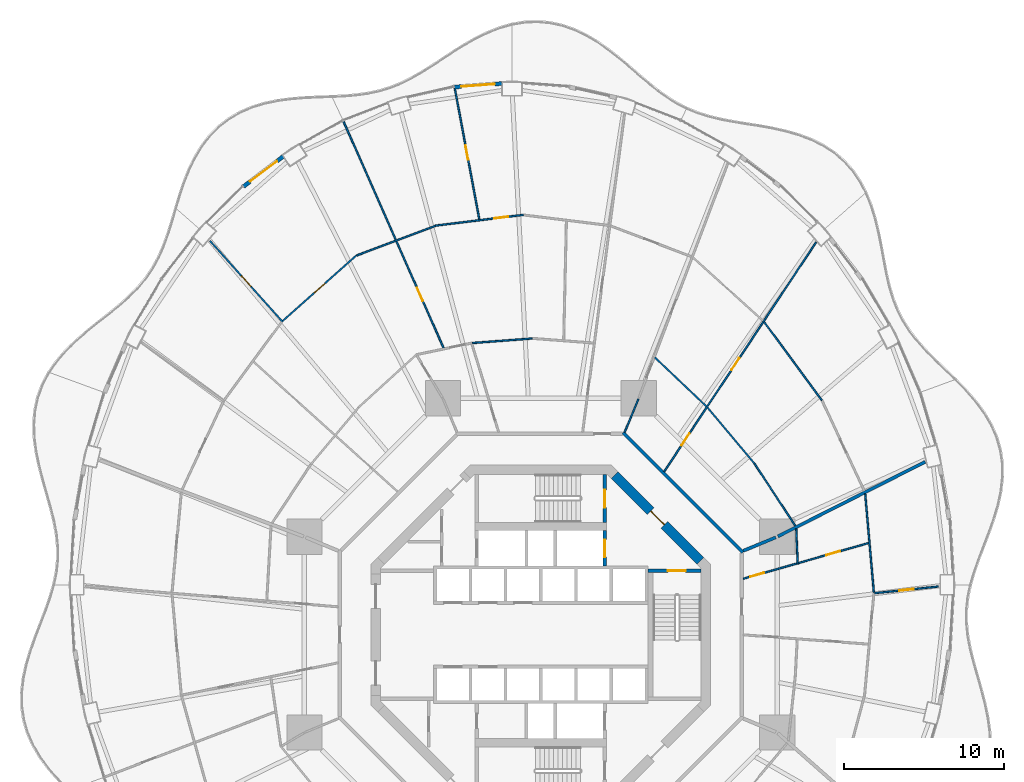
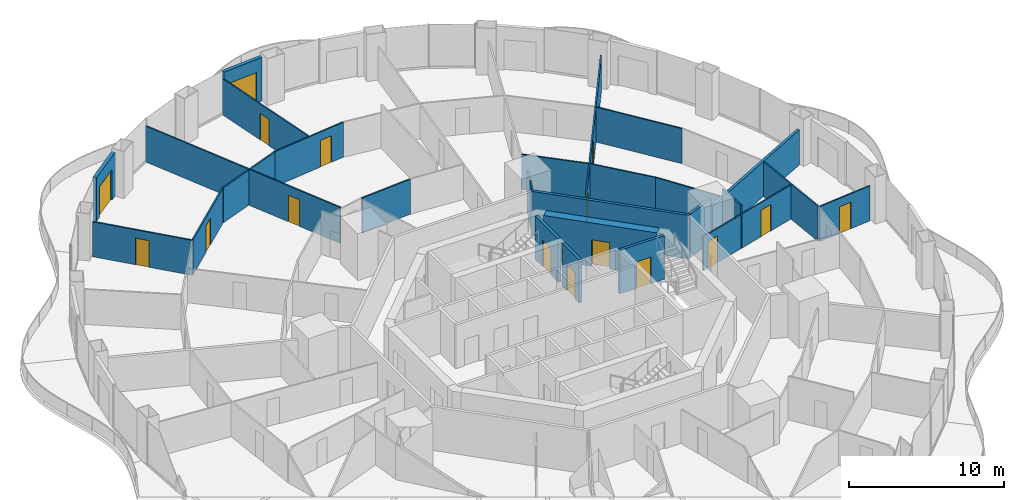
# One storey, part 18 of 22: 26 walls, 16 doors, 16 openings.
"""IFC4 building model written with IfcOpenShell, lengths in metres."""

from ifc_helpers import new_model, si_unit, direction, frame, frame_2d, origin, place, context, subcontext, project, spatial, rectangle, extrude, material, layer, layer_set, type_object, element, fill, save


model = new_model("IFC4")

# Units and contexts
model_context = context("Model", 3, precision=1e-05, world=origin(), true_north=direction((0.0, 1.0)))
body_context = subcontext(model_context, "Body", "Model", "MODEL_VIEW")
ifc_project = project(units=[si_unit("LENGTHUNIT", "METRE"), si_unit("AREAUNIT", "SQUARE_METRE"), si_unit("VOLUMEUNIT", "CUBIC_METRE"), si_unit("PLANEANGLEUNIT", "RADIAN"), si_unit("MASSUNIT", "GRAM", prefix="KILO")], contexts=[model_context])

# Site, building, storey
site_placement = place(None, origin())
site = spatial("IfcSite", under=ifc_project, at=site_placement, CompositionType="ELEMENT")
building_placement = place(site_placement, origin())
building = spatial("IfcBuilding", under=site, at=building_placement, Name="Nagisa Residences", CompositionType="ELEMENT")
storey_placement = place(building_placement, frame((0.0, 0.0, 77.0)))
storey = spatial("IfcBuildingStorey", under=building, at=storey_placement, Name="L18", CompositionType="ELEMENT", Elevation=77.0)

# Walls
ifc_material_1 = material(Name="Gypsum board on steel studs", Category="steel")
ifc_layer_1 = layer(ifc_material_1, 0.199951171875)
ifc_layer_set_1 = layer_set([ifc_layer_1], Name="Apartment compartment wall EI60 200")
wall_type_1 = type_object("IfcWallType", Name="Apartment compartment wall EI60 200", PredefinedType="PARTITIONING", material=ifc_layer_set_1)
wall_1_placement = place(storey_placement, frame((12.6572265625, 5.24267578125, 0.0), z_axis=(0.0, 0.0, 1.0), x_axis=(0.923876145736, 0.382691608661, 0.0)))
element("IfcWall", 1, at=wall_1_placement, inside=storey, type_object=wall_type_1, Name="wall:L18:u00", PredefinedType="PARTITIONING", context=body_context, shape_type="SweptSolid", body=[
    extrude(rectangle(XDim=2.19970703125, YDim=0.199951171875, at=frame_2d((1.099853515625, 0.0))), origin(), (0.0, 0.0, 1.0), 3.43994140625),
])
wall_2_placement = place(storey_placement, frame((14.82666015625, 6.1455078125, 0.0), z_axis=(0.0, 0.0, 1.0), x_axis=(0.892068075337, 0.451901038906, 0.0)))
element("IfcWall", 2, at=wall_2_placement, inside=storey, type_object=wall_type_1, Name="wall:L18:u01", PredefinedType="PARTITIONING", context=body_context, shape_type="SweptSolid", body=[
    extrude(rectangle(XDim=10.31982421875, YDim=0.199951171875, at=frame_2d((5.159912109375, 0.0))), origin(), (0.0, 0.0, 1.0), 2.761962890625),
])
ifc_material_2 = material(Name="Gypsum board on steel studs", Category="steel")
ifc_layer_2 = layer(ifc_material_2, 0.199951171875)
ifc_layer_set_2 = layer_set([ifc_layer_2], Name="Apartment entry wall EI60 200")
wall_type_2 = type_object("IfcWallType", Name="Apartment entry wall EI60 200", PredefinedType="PARTITIONING", material=ifc_layer_set_2)
wall_3_placement = place(storey_placement, frame((12.635498046875, 5.1337890625, 0.0), z_axis=(0.0, 0.0, 1.0), x_axis=(-0.707106781187, 0.707106781187, 0.0)))
element("IfcWall", 3, at=wall_3_placement, inside=storey, type_object=wall_type_2, Name="wall:L18:u09", PredefinedType="PARTITIONING", context=body_context, shape_type="SweptSolid", body=[
    extrude(rectangle(XDim=10.609130859375, YDim=0.199951171875, at=frame_2d((5.3046875, 0.0))), origin(), (0.0, 0.0, 1.0), 3.43994140625),
])

# Wall, opening, door
ifc_material_3 = material(Name="Gypsum board on steel studs", Category="steel")
ifc_layer_3 = layer(ifc_material_3, 0.10009765625)
ifc_layer_set_3 = layer_set([ifc_layer_3], Name="Apartment partition 100")
wall_type_3 = type_object("IfcWallType", Name="Apartment partition 100", PredefinedType="PARTITIONING", material=ifc_layer_set_3)
wall_4_placement = place(storey_placement, frame((20.879150390625, 2.597412109375, 0.0), z_axis=(0.0, 0.0, 1.0), x_axis=(0.994666546694, 0.103142914868, 0.0)))
wall_4 = element("IfcWall", 4, at=wall_4_placement, inside=storey, type_object=wall_type_3, Name="wall:L18:u16", PredefinedType="PARTITIONING", context=body_context, shape_type="SweptSolid", body=[
    extrude(rectangle(XDim=3.997802734375, YDim=0.10009765625, at=frame_2d((1.9990234375, 0.0))), origin(), (0.0, 0.0, 1.0), 2.761962890625),
])
opening_1_placement = place(wall_4_placement, frame((1.548828125, 0.0, 0.0)))
opening_1 = element("IfcOpeningElement", 5, at=opening_1_placement, cuts=wall_4, Name="Opening L18-U54", PredefinedType="OPENING", context=body_context, shape_type="SweptSolid", body=[
    extrude(rectangle(XDim=0.89990234375, YDim=2.10009765625, at=frame_2d((0.449951171875, 1.050048828125))), frame((0.0, 0.06005859375, 0.0), z_axis=(0.0, -1.0, 0.0), x_axis=(1.0, 0.0, 0.0)), (0.0, 0.0, 1.0), 0.1201171875),
])
ifc_material_4 = material(Name="Timber door set", Category="wood")
door_type_1 = type_object("IfcDoorType", Name="Apartment door 900x2100", OperationType="NOTDEFINED", PredefinedType="DOOR", material=ifc_material_4)
door_1_placement = place(opening_1_placement, origin())
door_1 = element("IfcDoor", 6, at=door_1_placement, inside=storey, type_object=door_type_1, Name="Door to master bedroom, Apartment 18D", OperationType="SINGLE_SWING_RIGHT", OverallHeight=2.10009765625, OverallWidth=0.89990234375, PredefinedType="DOOR", context=body_context, shape_type="SweptSolid", body=[
    extrude(rectangle(XDim=0.89990234375, YDim=2.10009765625, at=frame_2d((0.449951171875, 1.050048828125))), frame((0.0, 0.02490234375, 0.0), z_axis=(0.0, -1.0, 0.0), x_axis=(1.0, 0.0, 0.0)), (0.0, 0.0, 1.0), 0.050048828125),
])
fill(opening_1, door_1)

# Wall
wall_5_placement = place(storey_placement, frame((20.8251953125, 2.64208984375, 0.0), z_axis=(0.0, 0.0, 1.0), x_axis=(-0.087760219522, 0.996141628419, 0.0)))
element("IfcWall", 7, at=wall_5_placement, inside=storey, type_object=wall_type_3, Name="wall:L18:u17", PredefinedType="PARTITIONING", context=body_context, shape_type="SweptSolid", body=[
    extrude(rectangle(XDim=6.18701171875, YDim=0.10009765625, at=frame_2d((3.093505859375, 0.0))), origin(), (0.0, 0.0, 1.0), 2.761962890625),
])

# Wall, openings, doors
wall_6_placement = place(storey_placement, frame((12.660888671875, 3.4970703125, 0.0), z_axis=(0.0, 0.0, 1.0), x_axis=(0.961626678623, 0.274361314621, 0.0)))
wall_6 = element("IfcWall", 8, at=wall_6_placement, inside=storey, type_object=wall_type_3, Name="wall:L18:u19", PredefinedType="PARTITIONING", context=body_context, shape_type="SweptSolid", body=[
    extrude(rectangle(XDim=8.155517578125, YDim=0.10009765625, at=frame_2d((4.07763671875, 0.0))), origin(), (0.0, 0.0, 1.0), 2.68701171875),
])
opening_2_placement = place(wall_6_placement, frame((0.4462890625, 0.0, 0.0)))
opening_2 = element("IfcOpeningElement", 9, at=opening_2_placement, cuts=wall_6, Name="Opening L18-U50", PredefinedType="OPENING", context=body_context, shape_type="SweptSolid", body=[
    extrude(rectangle(XDim=0.89990234375, YDim=2.10009765625, at=frame_2d((0.449951171875, 1.050048828125))), frame((0.0, 0.06005859375, 0.0), z_axis=(0.0, -1.0, 0.0), x_axis=(1.0, 0.0, 0.0)), (0.0, 0.0, 1.0), 0.1201171875),
])
opening_3_placement = place(wall_6_placement, frame((5.39013671875, 0.0, 0.0)))
opening_3 = element("IfcOpeningElement", 10, at=opening_3_placement, cuts=wall_6, Name="Opening L18-U52", PredefinedType="OPENING", context=body_context, shape_type="SweptSolid", body=[
    extrude(rectangle(XDim=0.89990234375, YDim=2.10009765625, at=frame_2d((0.449951171875, 1.050048828125))), frame((0.0, 0.06005859375, 0.0), z_axis=(0.0, -1.0, 0.0), x_axis=(1.0, 0.0, 0.0)), (0.0, 0.0, 1.0), 0.1201171875),
])
door_2_placement = place(opening_2_placement, origin())
door_2 = element("IfcDoor", 11, at=door_2_placement, inside=storey, type_object=door_type_1, Name="Door to family bathroom, Apartment 18D", OperationType="SINGLE_SWING_RIGHT", OverallHeight=2.10009765625, OverallWidth=0.89990234375, PredefinedType="DOOR", context=body_context, shape_type="SweptSolid", body=[
    extrude(rectangle(XDim=0.89990234375, YDim=2.10009765625, at=frame_2d((0.449951171875, 1.050048828125))), frame((0.0, 0.02490234375, 0.0), z_axis=(0.0, -1.0, 0.0), x_axis=(1.0, 0.0, 0.0)), (0.0, 0.0, 1.0), 0.050048828125),
])
fill(opening_2, door_2)
door_3_placement = place(opening_3_placement, origin())
door_3 = element("IfcDoor", 12, at=door_3_placement, inside=storey, type_object=door_type_1, Name="Door to family bathroom, Apartment 18D", OperationType="SINGLE_SWING_RIGHT", OverallHeight=2.10009765625, OverallWidth=0.89990234375, PredefinedType="DOOR", context=body_context, shape_type="SweptSolid", body=[
    extrude(rectangle(XDim=0.89990234375, YDim=2.10009765625, at=frame_2d((0.449951171875, 1.050048828125))), frame((0.0, 0.02490234375, 0.0), z_axis=(0.0, -1.0, 0.0), x_axis=(1.0, 0.0, 0.0)), (0.0, 0.0, 1.0), 0.050048828125),
])
fill(opening_3, door_3)

# Walls
wall_7_placement = place(storey_placement, frame((16.064453125, 4.4150390625, 0.0), z_axis=(0.0, 0.0, 1.0), x_axis=(-0.043101501373, 0.999070698489, 0.0)))
element("IfcWall", 13, at=wall_7_placement, inside=storey, type_object=wall_type_3, Name="wall:L18:u20", PredefinedType="PARTITIONING", context=body_context, shape_type="SweptSolid", body=[
    extrude(rectangle(XDim=2.208984375, YDim=0.10009765625, at=frame_2d((1.1044921875, 0.0))), origin(), (0.0, 0.0, 1.0), 3.43994140625),
])
wall_8_placement = place(storey_placement, frame((15.91015625, 6.8056640625, 0.0), z_axis=(0.0, 0.0, 1.0), x_axis=(-0.547468243486, 0.836826458936, 0.0)))
element("IfcWall", 14, at=wall_8_placement, inside=storey, type_object=wall_type_3, Name="wall:L18:u21", PredefinedType="PARTITIONING", context=body_context, shape_type="SweptSolid", body=[
    extrude(rectangle(XDim=4.687744140625, YDim=0.10009765625, at=frame_2d((2.34375, 0.0))), origin(), (0.0, 0.0, 1.0), 2.761962890625),
])
wall_9_placement = place(storey_placement, frame((13.339111328125, 10.724853515625, 0.0), z_axis=(0.0, 0.0, 1.0), x_axis=(-0.642515455924, 0.766272724882, 0.0)))
element("IfcWall", 15, at=wall_9_placement, inside=storey, type_object=wall_type_3, Name="wall:L18:u23", PredefinedType="PARTITIONING", context=body_context, shape_type="SweptSolid", body=[
    extrude(rectangle(XDim=4.537353515625, YDim=0.10009765625, at=frame_2d((2.2685546875, 0.0))), origin(), (0.0, 0.0, 1.0), 2.761962890625),
])
wall_10_placement = place(storey_placement, frame((17.567138671875, 14.65283203125, 0.0), z_axis=(0.0, 0.0, 1.0), x_axis=(-0.592391983588, 0.80564988536, 0.0)))
element("IfcWall", 16, at=wall_10_placement, inside=storey, type_object=wall_type_3, Name="wall:L18:u24", PredefinedType="PARTITIONING", context=body_context, shape_type="SweptSolid", body=[
    extrude(rectangle(XDim=6.080078125, YDim=0.10009765625, at=frame_2d((3.0400390625, 0.0))), origin(), (0.0, 0.0, 1.0), 2.761962890625),
])

# Wall, openings, doors
wall_11_placement = place(storey_placement, frame((7.713134765625, 10.19482421875, 0.0), z_axis=(0.0, 0.0, 1.0), x_axis=(0.552111071171, 0.833770571015, 0.0)))
wall_11 = element("IfcWall", 17, at=wall_11_placement, inside=storey, type_object=wall_type_3, Name="wall:L18:u25", PredefinedType="PARTITIONING", context=body_context, shape_type="SweptSolid", body=[
    extrude(rectangle(XDim=17.20849609375, YDim=0.10009765625, at=frame_2d((8.604248046875, 0.0))), origin(), (0.0, 0.0, 1.0), 2.68701171875),
])
opening_4_placement = place(wall_11_placement, frame((1.975830078125, 0.0, 0.0)))
opening_4 = element("IfcOpeningElement", 18, at=opening_4_placement, cuts=wall_11, Name="Opening L18-U19", PredefinedType="OPENING", context=body_context, shape_type="SweptSolid", body=[
    extrude(rectangle(XDim=0.89990234375, YDim=2.10009765625, at=frame_2d((0.449951171875, 1.050048828125))), frame((0.0, 0.06005859375, 0.0), z_axis=(0.0, -1.0, 0.0), x_axis=(1.0, 0.0, 0.0)), (0.0, 0.0, 1.0), 0.1201171875),
])
opening_5_placement = place(wall_11_placement, frame((7.611083984375, 0.0, 0.0)))
opening_5 = element("IfcOpeningElement", 19, at=opening_5_placement, cuts=wall_11, Name="Opening L18-U20", PredefinedType="OPENING", context=body_context, shape_type="SweptSolid", body=[
    extrude(rectangle(XDim=0.89990234375, YDim=2.10009765625, at=frame_2d((0.449951171875, 1.050048828125))), frame((0.0, 0.06005859375, 0.0), z_axis=(0.0, -1.0, 0.0), x_axis=(1.0, 0.0, 0.0)), (0.0, 0.0, 1.0), 0.1201171875),
])
door_4_placement = place(opening_4_placement, frame((0.89990234375, 0.0, 0.0), x_axis=(-1.0, 0.0, 0.0)))
door_4 = element("IfcDoor", 20, at=door_4_placement, inside=storey, type_object=door_type_1, Name="Door to laundry, Apartment 18A", OperationType="SINGLE_SWING_RIGHT", OverallHeight=2.10009765625, OverallWidth=0.89990234375, PredefinedType="DOOR", context=body_context, shape_type="SweptSolid", body=[
    extrude(rectangle(XDim=0.89990234375, YDim=2.10009765625, at=frame_2d((0.449951171875, 1.050048828125))), frame((0.0, 0.02490234375, 0.0), z_axis=(0.0, -1.0, 0.0), x_axis=(1.0, 0.0, 0.0)), (0.0, 0.0, 1.0), 0.050048828125),
])
fill(opening_4, door_4)
door_5_placement = place(opening_5_placement, frame((0.89990234375, 0.0, 0.0), x_axis=(-1.0, 0.0, 0.0)))
door_5 = element("IfcDoor", 21, at=door_5_placement, inside=storey, type_object=door_type_1, Name="Door to dining room, Apartment 18A", OperationType="SINGLE_SWING_LEFT", OverallHeight=2.10009765625, OverallWidth=0.89990234375, PredefinedType="DOOR", context=body_context, shape_type="SweptSolid", body=[
    extrude(rectangle(XDim=0.89990234375, YDim=2.10009765625, at=frame_2d((0.449951171875, 1.050048828125))), frame((0.0, 0.02490234375, 0.0), z_axis=(0.0, -1.0, 0.0), x_axis=(1.0, 0.0, 0.0)), (0.0, 0.0, 1.0), 0.050048828125),
])
fill(opening_5, door_5)

# Walls
wall_12_placement = place(storey_placement, frame((10.35546875, 14.274169921875, 0.0), z_axis=(0.0, 0.0, 1.0), x_axis=(-0.725219204328, 0.688518050361, 0.0)))
element("IfcWall", 22, at=wall_12_placement, inside=storey, type_object=wall_type_3, Name="wall:L18:u26", PredefinedType="PARTITIONING", context=body_context, shape_type="SweptSolid", body=[
    extrude(rectangle(XDim=4.43701171875, YDim=0.10009765625, at=frame_2d((2.218505859375, 0.0))), origin(), (0.0, 0.0, 1.0), 2.761962890625),
])
wall_13_placement = place(storey_placement, frame((5.24267578125, 12.6572265625, 0.0), z_axis=(0.0, 0.0, 1.0), x_axis=(0.382719158442, 0.923864733477, 0.0)))
element("IfcWall", 23, at=wall_13_placement, inside=storey, type_object=wall_type_3, Name="wall:L18:u28", PredefinedType="PARTITIONING", context=body_context, shape_type="SweptSolid", body=[
    extrude(rectangle(XDim=2.25, YDim=0.10009765625, at=frame_2d((1.125, 0.0))), origin(), (0.0, 0.0, 1.0), 3.43994140625),
])
wall_14_placement = place(storey_placement, frame((-0.535888671875, 18.519287109375, 0.0), z_axis=(0.0, 0.0, 1.0), x_axis=(-0.99715294352, -0.075405618017, 0.0)))
element("IfcWall", 24, at=wall_14_placement, inside=storey, type_object=wall_type_3, Name="wall:L18:u35", PredefinedType="PARTITIONING", context=body_context, shape_type="SweptSolid", body=[
    extrude(rectangle(XDim=3.74609375, YDim=0.10009765625, at=frame_2d((1.873046875, 0.0))), origin(), (0.0, 0.0, 1.0), 2.761962890625),
])

# Wall, opening, door
wall_15_placement = place(storey_placement, frame((-1.06640625, 26.2529296875, 0.0), z_axis=(0.0, 0.0, 1.0), x_axis=(-0.992574197255, -0.121640712523, 0.0)))
wall_15 = element("IfcWall", 25, at=wall_15_placement, inside=storey, type_object=wall_type_3, Name="wall:L18:u36", PredefinedType="PARTITIONING", context=body_context, shape_type="SweptSolid", body=[
    extrude(rectangle(XDim=5.57373046875, YDim=0.10009765625, at=frame_2d((2.786865234375, 0.0))), origin(), (0.0, 0.0, 1.0), 2.761962890625),
])
opening_6_placement = place(wall_15_placement, frame((0.968505859375, 0.0, 0.0)))
opening_6 = element("IfcOpeningElement", 26, at=opening_6_placement, cuts=wall_15, Name="Opening L18-U14", PredefinedType="OPENING", context=body_context, shape_type="SweptSolid", body=[
    extrude(rectangle(XDim=0.89990234375, YDim=2.10009765625, at=frame_2d((0.449951171875, 1.050048828125))), frame((0.0, 0.06005859375, 0.0), z_axis=(0.0, -1.0, 0.0), x_axis=(1.0, 0.0, 0.0)), (0.0, 0.0, 1.0), 0.1201171875),
])
door_6_placement = place(opening_6_placement, frame((0.89990234375, 0.0, 0.0), x_axis=(-1.0, 0.0, 0.0)))
door_6 = element("IfcDoor", 27, at=door_6_placement, inside=storey, type_object=door_type_1, Name="Door to living room, Apartment 18A", OperationType="SINGLE_SWING_LEFT", OverallHeight=2.10009765625, OverallWidth=0.89990234375, PredefinedType="DOOR", context=body_context, shape_type="SweptSolid", body=[
    extrude(rectangle(XDim=0.89990234375, YDim=2.10009765625, at=frame_2d((0.449951171875, 1.050048828125))), frame((0.0, 0.02490234375, 0.0), z_axis=(0.0, -1.0, 0.0), x_axis=(1.0, 0.0, 0.0)), (0.0, 0.0, 1.0), 0.050048828125),
])
fill(opening_6, door_6)

wall_16_placement = place(storey_placement, frame((-3.841796875, 25.963134765625, 0.0), z_axis=(0.0, 0.0, 1.0), x_axis=(-0.184068442651, 0.982913428752, 0.0)))
wall_16 = element("IfcWall", 28, at=wall_16_placement, inside=storey, type_object=wall_type_3, Name="wall:L18:u37", PredefinedType="PARTITIONING", context=body_context, shape_type="SweptSolid", body=[
    extrude(rectangle(XDim=8.505859375, YDim=0.10009765625, at=frame_2d((4.2529296875, 0.0))), origin(), (0.0, 0.0, 1.0), 2.8369140625),
])
opening_7_placement = place(wall_16_placement, frame((3.802978515625, 0.0, 0.0)))
opening_7 = element("IfcOpeningElement", 29, at=opening_7_placement, cuts=wall_16, Name="Opening L18-U15", PredefinedType="OPENING", context=body_context, shape_type="SweptSolid", body=[
    extrude(rectangle(XDim=0.89990234375, YDim=2.10009765625, at=frame_2d((0.449951171875, 1.050048828125))), frame((0.0, 0.06005859375, 0.0), z_axis=(0.0, -1.0, 0.0), x_axis=(1.0, 0.0, 0.0)), (0.0, 0.0, 1.0), 0.1201171875),
])
door_7_placement = place(opening_7_placement, origin())
door_7 = element("IfcDoor", 30, at=door_7_placement, inside=storey, type_object=door_type_1, Name="Door to master bedroom, Apartment 18A", OperationType="SINGLE_SWING_LEFT", OverallHeight=2.10009765625, OverallWidth=0.89990234375, PredefinedType="DOOR", context=body_context, shape_type="SweptSolid", body=[
    extrude(rectangle(XDim=0.89990234375, YDim=2.10009765625, at=frame_2d((0.449951171875, 1.050048828125))), frame((0.0, 0.02490234375, 0.0), z_axis=(0.0, -1.0, 0.0), x_axis=(1.0, 0.0, 0.0)), (0.0, 0.0, 1.0), 0.050048828125),
])
fill(opening_7, door_7)

# Wall
wall_17_placement = place(storey_placement, frame((-6.595703125, 25.5634765625, 0.0), z_axis=(0.0, 0.0, 1.0), x_axis=(-0.9356162121, -0.353018843201, 0.0)))
element("IfcWall", 31, at=wall_17_placement, inside=storey, type_object=wall_type_3, Name="wall:L18:u40", PredefinedType="PARTITIONING", context=body_context, shape_type="SweptSolid", body=[
    extrude(rectangle(XDim=5.2490234375, YDim=0.10009765625, at=frame_2d((2.62451171875, 0.0))), origin(), (0.0, 0.0, 1.0), 2.761962890625),
])

# Wall, opening, door
wall_18_placement = place(storey_placement, frame((-6.072021484375, 17.9150390625, 0.0), z_axis=(0.0, 0.0, 1.0), x_axis=(-0.404139814253, 0.914697223422, 0.0)))
wall_18 = element("IfcWall", 32, at=wall_18_placement, inside=storey, type_object=wall_type_3, Name="wall:L18:u41", PredefinedType="PARTITIONING", context=body_context, shape_type="SweptSolid", body=[
    extrude(rectangle(XDim=15.6142578125, YDim=0.10009765625, at=frame_2d((7.80712890625, 0.0))), origin(), (0.0, 0.0, 1.0), 2.8369140625),
])
opening_8_placement = place(wall_18_placement, frame((3.226318359375, 0.0, 0.0)))
opening_8 = element("IfcOpeningElement", 33, at=opening_8_placement, cuts=wall_18, Name="Opening L18-U10", PredefinedType="OPENING", context=body_context, shape_type="SweptSolid", body=[
    extrude(rectangle(XDim=0.89990234375, YDim=2.10009765625, at=frame_2d((0.449951171875, 1.050048828125))), frame((0.0, 0.06005859375, 0.0), z_axis=(0.0, -1.0, 0.0), x_axis=(1.0, 0.0, 0.0)), (0.0, 0.0, 1.0), 0.1201171875),
])
door_8_placement = place(opening_8_placement, origin())
door_8 = element("IfcDoor", 34, at=door_8_placement, inside=storey, type_object=door_type_1, Name="Door to family room, Apartment 18A", OperationType="SINGLE_SWING_RIGHT", OverallHeight=2.10009765625, OverallWidth=0.89990234375, PredefinedType="DOOR", context=body_context, shape_type="SweptSolid", body=[
    extrude(rectangle(XDim=0.89990234375, YDim=2.10009765625, at=frame_2d((0.449951171875, 1.050048828125))), frame((0.0, 0.02490234375, 0.0), z_axis=(0.0, -1.0, 0.0), x_axis=(1.0, 0.0, 0.0)), (0.0, 0.0, 1.0), 0.050048828125),
])
fill(opening_8, door_8)

wall_19_placement = place(storey_placement, frame((-11.51611328125, 23.72607421875, 0.0), z_axis=(0.0, 0.0, 1.0), x_axis=(-0.747428955243, -0.664341747043, 0.0)))
wall_19 = element("IfcWall", 35, at=wall_19_placement, inside=storey, type_object=wall_type_3, Name="wall:L18:u45", PredefinedType="PARTITIONING", context=body_context, shape_type="SweptSolid", body=[
    extrude(rectangle(XDim=6.173583984375, YDim=0.10009765625, at=frame_2d((3.0869140625, 0.0))), origin(), (0.0, 0.0, 1.0), 2.761962890625),
])
opening_9_placement = place(wall_19_placement, frame((2.66162109375, 0.0, 0.0)))
opening_9 = element("IfcOpeningElement", 36, at=opening_9_placement, cuts=wall_19, Name="Opening L18-U16", PredefinedType="OPENING", context=body_context, shape_type="SweptSolid", body=[
    extrude(rectangle(XDim=0.89990234375, YDim=2.10009765625, at=frame_2d((0.449951171875, 1.050048828125))), frame((0.0, 0.06005859375, 0.0), z_axis=(0.0, -1.0, 0.0), x_axis=(1.0, 0.0, 0.0)), (0.0, 0.0, 1.0), 0.1201171875),
])
door_9_placement = place(opening_9_placement, frame((0.89990234375, 0.0, 0.0), x_axis=(-1.0, 0.0, 0.0)))
door_9 = element("IfcDoor", 37, at=door_9_placement, inside=storey, type_object=door_type_1, Name="Door to living room, Apartment 18A", OperationType="SINGLE_SWING_LEFT", OverallHeight=2.10009765625, OverallWidth=0.89990234375, PredefinedType="DOOR", context=body_context, shape_type="SweptSolid", body=[
    extrude(rectangle(XDim=0.89990234375, YDim=2.10009765625, at=frame_2d((0.449951171875, 1.050048828125))), frame((0.0, 0.02490234375, 0.0), z_axis=(0.0, -1.0, 0.0), x_axis=(1.0, 0.0, 0.0)), (0.0, 0.0, 1.0), 0.050048828125),
])
fill(opening_9, door_9)

wall_20_placement = place(storey_placement, frame((-16.13427734375, 19.554443359375, 0.0), z_axis=(0.0, 0.0, 1.0), x_axis=(-0.667985610263, 0.74417418961, 0.0)))
wall_20 = element("IfcWall", 38, at=wall_20_placement, inside=storey, type_object=wall_type_3, Name="wall:L18:u47", PredefinedType="PARTITIONING", context=body_context, shape_type="SweptSolid", body=[
    extrude(rectangle(XDim=6.809326171875, YDim=0.10009765625, at=frame_2d((3.40478515625, 0.0))), origin(), (0.0, 0.0, 1.0), 2.761962890625),
])
opening_10_placement = place(wall_20_placement, frame((2.979736328125, 0.0, 0.0)))
opening_10 = element("IfcOpeningElement", 39, at=opening_10_placement, cuts=wall_20, Name="Opening L18-U17", PredefinedType="OPENING", context=body_context, shape_type="SweptSolid", body=[
    extrude(rectangle(XDim=0.89990234375, YDim=2.10009765625, at=frame_2d((0.449951171875, 1.050048828125))), frame((0.0, 0.06005859375, 0.0), z_axis=(0.0, -1.0, 0.0), x_axis=(1.0, 0.0, 0.0)), (0.0, 0.0, 1.0), 0.1201171875),
])
door_10_placement = place(opening_10_placement, origin())
door_10 = element("IfcDoor", 40, at=door_10_placement, inside=storey, type_object=door_type_1, Name="Door to master bedroom, Apartment 18A", OperationType="SINGLE_SWING_LEFT", OverallHeight=2.10009765625, OverallWidth=0.89990234375, PredefinedType="DOOR", context=body_context, shape_type="SweptSolid", body=[
    extrude(rectangle(XDim=0.89990234375, YDim=2.10009765625, at=frame_2d((0.449951171875, 1.050048828125))), frame((0.0, 0.02490234375, 0.0), z_axis=(0.0, -1.0, 0.0), x_axis=(1.0, 0.0, 0.0)), (0.0, 0.0, 1.0), 0.050048828125),
])
fill(opening_10, door_10)

ifc_material_5 = material(Name="Precast concrete C40/50", Category="concrete")
ifc_layer_4 = layer(ifc_material_5, 0.25)
ifc_layer_set_4 = layer_set([ifc_layer_4], Name="BALCONY DOOR WALL 250")
wall_type_4 = type_object("IfcWallType", Name="BALCONY DOOR WALL 250", PredefinedType="SOLIDWALL", material=ifc_layer_set_4)
wall_21_placement = place(storey_placement, frame((-5.405517578125, 34.238525390625, 0.0), z_axis=(0.0, 0.0, 1.0), x_axis=(0.997231808538, 0.074355363224, 0.0)))
wall_21 = element("IfcWall", 41, at=wall_21_placement, inside=storey, type_object=wall_type_4, Name="wall:L18:bay12", PredefinedType="SOLIDWALL", context=body_context, shape_type="SweptSolid", body=[
    extrude(rectangle(XDim=2.974853515625, YDim=0.25, at=frame_2d((1.4873046875, 0.0))), origin(), (0.0, 0.0, 1.0), 3.43994140625),
])
opening_11_placement = place(wall_21_placement, frame((0.4375, 0.0, 0.0)))
opening_11 = element("IfcOpeningElement", 42, at=opening_11_placement, cuts=wall_21, Name="Opening BD-L18-05", PredefinedType="OPENING", context=body_context, shape_type="SweptSolid", body=[
    extrude(rectangle(XDim=2.10009765625, YDim=2.39990234375, at=frame_2d((1.050048828125, 1.199951171875))), frame((0.0, 0.135009765625, 0.0), z_axis=(0.0, -1.0, 0.0), x_axis=(1.0, 0.0, 0.0)), (0.0, 0.0, 1.0), 0.27001953125),
])
ifc_material_6 = material(Name="Aluminium and clear glass", Category="aluminium")
door_type_2 = type_object("IfcDoorType", Name="BALCONY SLIDING DOOR 2100x2400", OperationType="SLIDING_TO_LEFT", PredefinedType="DOOR", material=ifc_material_6)
door_11_placement = place(opening_11_placement, origin())
door_11 = element("IfcDoor", 43, at=door_11_placement, inside=storey, type_object=door_type_2, Name="door:L18:bay12", OperationType="SLIDING_TO_LEFT", OverallHeight=2.39990234375, OverallWidth=2.10009765625, PredefinedType="DOOR", context=body_context, shape_type="SweptSolid", body=[
    extrude(rectangle(XDim=2.10009765625, YDim=2.39990234375, at=frame_2d((1.050048828125, 1.199951171875))), frame((0.0, 0.02490234375, 0.0), z_axis=(0.0, -1.0, 0.0), x_axis=(1.0, 0.0, 0.0)), (0.0, 0.0, 1.0), 0.050048828125),
])
fill(opening_11, door_11)

wall_22_placement = place(storey_placement, frame((-18.583984375, 28.020751953125, 0.0), z_axis=(0.0, 0.0, 1.0), x_axis=(0.796037575978, 0.605247203736, 0.0)))
wall_22 = element("IfcWall", 44, at=wall_22_placement, inside=storey, type_object=wall_type_4, Name="wall:L18:bay16", PredefinedType="SOLIDWALL", context=body_context, shape_type="SweptSolid", body=[
    extrude(rectangle(XDim=3.1337890625, YDim=0.25, at=frame_2d((1.56689453125, 0.0))), origin(), (0.0, 0.0, 1.0), 3.43994140625),
])
opening_12_placement = place(wall_22_placement, frame((0.51708984375, 0.0, 0.0)))
opening_12 = element("IfcOpeningElement", 45, at=opening_12_placement, cuts=wall_22, Name="Opening BD-L18-06", PredefinedType="OPENING", context=body_context, shape_type="SweptSolid", body=[
    extrude(rectangle(XDim=2.10009765625, YDim=2.39990234375, at=frame_2d((1.050048828125, 1.199951171875))), frame((0.0, 0.135009765625, 0.0), z_axis=(0.0, -1.0, 0.0), x_axis=(1.0, 0.0, 0.0)), (0.0, 0.0, 1.0), 0.27001953125),
])
door_12_placement = place(opening_12_placement, origin())
door_12 = element("IfcDoor", 46, at=door_12_placement, inside=storey, type_object=door_type_2, Name="door:L18:bay16", OperationType="SLIDING_TO_LEFT", OverallHeight=2.39990234375, OverallWidth=2.10009765625, PredefinedType="DOOR", context=body_context, shape_type="SweptSolid", body=[
    extrude(rectangle(XDim=2.10009765625, YDim=2.39990234375, at=frame_2d((1.050048828125, 1.199951171875))), frame((0.0, 0.02490234375, 0.0), z_axis=(0.0, -1.0, 0.0), x_axis=(1.0, 0.0, 0.0)), (0.0, 0.0, 1.0), 0.050048828125),
])
fill(opening_12, door_12)

ifc_material_7 = material(Name="Concrete C60", Category="concrete")
ifc_layer_5 = layer(ifc_material_7, 0.60009765625)
ifc_layer_set_5 = layer_set([ifc_layer_5], Name="Core shear wall 600")
wall_type_5 = type_object("IfcWallType", Name="Core shear wall 600", PredefinedType="SHEAR", material=ifc_layer_set_5)
wall_23_placement = place(storey_placement, frame((9.98828125, 4.613037109375, 0.0), z_axis=(0.0, 0.0, 1.0), x_axis=(-0.707106781187, 0.707106781187, 0.0)))
wall_23 = element("IfcWall", 47, at=wall_23_placement, inside=storey, type_object=wall_type_5, Name="wall:L18:core:flat1", PredefinedType="SHEAR", context=body_context, shape_type="SweptSolid", body=[
    extrude(rectangle(XDim=7.601806640625, YDim=0.60009765625, at=frame_2d((3.80078125, 0.0))), origin(), (0.0, 0.0, 1.0), 3.43994140625),
])
opening_13_placement = place(wall_23_placement, frame((3.200927734375, 0.0, 0.0)))
opening_13 = element("IfcOpeningElement", 48, at=opening_13_placement, cuts=wall_23, Name="Opening L18-C16", PredefinedType="OPENING", context=body_context, shape_type="SweptSolid", body=[
    extrude(rectangle(XDim=1.199951171875, YDim=2.10009765625, at=frame_2d((0.60009765625, 1.050048828125))), frame((0.0, 0.31005859375, 0.0), z_axis=(0.0, -1.0, 0.0), x_axis=(1.0, 0.0, 0.0)), (0.0, 0.0, 1.0), 0.6201171875),
])
ifc_material_8 = material(Name="Steel fire door", Category="steel")
door_type_3 = type_object("IfcDoorType", Name="Fire door EI60 1200x2100 single swing", OperationType="NOTDEFINED", PredefinedType="DOOR", material=ifc_material_8)
door_13_placement = place(opening_13_placement, origin())
door_13 = element("IfcDoor", 49, at=door_13_placement, inside=storey, type_object=door_type_3, Name="Firefighting lobby 1 door L18", OperationType="SINGLE_SWING_LEFT", OverallHeight=2.10009765625, OverallWidth=1.199951171875, PredefinedType="DOOR", context=body_context, shape_type="SweptSolid", body=[
    extrude(rectangle(XDim=1.199951171875, YDim=2.10009765625, at=frame_2d((0.60009765625, 1.050048828125))), frame((0.0, 0.02490234375, 0.0), z_axis=(0.0, -1.0, 0.0), x_axis=(1.0, 0.0, 0.0)), (0.0, 0.0, 1.0), 0.050048828125),
])
fill(opening_13, door_13)

ifc_material_9 = material(Name="Concrete C60", Category="concrete")
ifc_layer_6 = layer(ifc_material_9, 0.199951171875)
ifc_layer_set_6 = layer_set([ifc_layer_6], Name="Lift shaft wall 200")
wall_type_6 = type_object("IfcWallType", Name="Lift shaft wall 200", PredefinedType="SOLIDWALL", material=ifc_layer_set_6)
wall_24_placement = place(storey_placement, frame((4.0, 4.300048828125, 0.0), z_axis=(0.0, 0.0, 1.0), x_axis=(0.0, 1.0, 0.0)))
wall_24 = element("IfcWall", 50, at=wall_24_placement, inside=storey, type_object=wall_type_6, Name="wall:L18:Nb3", PredefinedType="SOLIDWALL", context=body_context, shape_type="SweptSolid", body=[
    extrude(rectangle(XDim=2.199951171875, YDim=0.199951171875, at=frame_2d((1.10009765625, 0.0))), origin(), (0.0, 0.0, 1.0), 3.43994140625),
])
opening_14_placement = place(wall_24_placement, frame((0.550048828125, 0.0, 0.0)))
opening_14 = element("IfcOpeningElement", 51, at=opening_14_placement, cuts=wall_24, Name="Opening L18-C06", PredefinedType="OPENING", context=body_context, shape_type="SweptSolid", body=[
    extrude(rectangle(XDim=1.10009765625, YDim=2.10009765625, at=frame_2d((0.550048828125, 1.050048828125))), frame((0.0, 0.10986328125, 0.0), z_axis=(0.0, -1.0, 0.0), x_axis=(1.0, 0.0, 0.0)), (0.0, 0.0, 1.0), 0.219970703125),
])
ifc_material_10 = material(Name="Stainless steel", Category="steel")
door_type_4 = type_object("IfcDoorType", Name="Lift landing door 1100x2100", OperationType="DOUBLE_DOOR_SLIDING", PredefinedType="DOOR", material=ifc_material_10)
door_14_placement = place(opening_14_placement, origin())
door_14 = element("IfcDoor", 52, at=door_14_placement, inside=storey, type_object=door_type_4, Name="Landing door FL1 L18", OperationType="DOUBLE_DOOR_SLIDING", OverallHeight=2.10009765625, OverallWidth=1.10009765625, PredefinedType="DOOR", context=body_context, shape_type="SweptSolid", body=[
    extrude(rectangle(XDim=1.10009765625, YDim=2.10009765625, at=frame_2d((0.550048828125, 1.050048828125))), frame((0.0, 0.02490234375, 0.0), z_axis=(0.0, -1.0, 0.0), x_axis=(1.0, 0.0, 0.0)), (0.0, 0.0, 1.0), 0.050048828125),
])
fill(opening_14, door_14)

ifc_material_11 = material(Name="Concrete C60", Category="concrete")
ifc_layer_7 = layer(ifc_material_11, 0.199951171875)
ifc_layer_set_7 = layer_set([ifc_layer_7], Name="Stair enclosure wall 200")
wall_type_7 = type_object("IfcWallType", Name="Stair enclosure wall 200", PredefinedType="SOLIDWALL", material=ifc_layer_set_7)
wall_25_placement = place(storey_placement, frame((6.699951171875, 4.0, 0.0), z_axis=(0.0, 0.0, 1.0), x_axis=(1.0, 0.0, 0.0)))
wall_25 = element("IfcWall", 53, at=wall_25_placement, inside=storey, type_object=wall_type_7, Name="wall:L18:SE_n", PredefinedType="SOLIDWALL", context=body_context, shape_type="SweptSolid", body=[
    extrude(rectangle(XDim=3.32470703125, YDim=0.199951171875, at=frame_2d((1.662353515625, 0.0))), origin(), (0.0, 0.0, 1.0), 3.43994140625),
])
opening_15_placement = place(wall_25_placement, frame((1.25, 0.0, 0.0)))
opening_15 = element("IfcOpeningElement", 54, at=opening_15_placement, cuts=wall_25, Name="Opening L18-C09", PredefinedType="OPENING", context=body_context, shape_type="SweptSolid", body=[
    extrude(rectangle(XDim=1.10009765625, YDim=2.10009765625, at=frame_2d((0.550048828125, 1.050048828125))), frame((0.0, 0.10986328125, 0.0), z_axis=(0.0, -1.0, 0.0), x_axis=(1.0, 0.0, 0.0)), (0.0, 0.0, 1.0), 0.219970703125),
])
ifc_material_12 = material(Name="Steel fire door", Category="steel")
door_type_5 = type_object("IfcDoorType", Name="Fire door EI90 1100x2100 single swing", OperationType="NOTDEFINED", PredefinedType="DOOR", material=ifc_material_12)
door_15_placement = place(opening_15_placement, frame((1.10009765625, 0.0, 0.0), x_axis=(-1.0, 0.0, 0.0)))
door_15 = element("IfcDoor", 55, at=door_15_placement, inside=storey, type_object=door_type_5, Name="Stair door ST-E L18", OperationType="SINGLE_SWING_LEFT", OverallHeight=2.10009765625, OverallWidth=1.10009765625, PredefinedType="DOOR", context=body_context, shape_type="SweptSolid", body=[
    extrude(rectangle(XDim=1.10009765625, YDim=2.10009765625, at=frame_2d((0.550048828125, 1.050048828125))), frame((0.0, 0.02490234375, 0.0), z_axis=(0.0, -1.0, 0.0), x_axis=(1.0, 0.0, 0.0)), (0.0, 0.0, 1.0), 0.050048828125),
])
fill(opening_15, door_15)

wall_26_placement = place(storey_placement, frame((4.0, 7.024658203125, 0.0), z_axis=(0.0, 0.0, 1.0), x_axis=(0.0, 1.0, 0.0)))
wall_26 = element("IfcWall", 56, at=wall_26_placement, inside=storey, type_object=wall_type_7, Name="wall:L18:SN_e", PredefinedType="SOLIDWALL", context=body_context, shape_type="SweptSolid", body=[
    extrude(rectangle(XDim=3.0, YDim=0.199951171875, at=frame_2d((1.5, 0.0))), origin(), (0.0, 0.0, 1.0), 3.43994140625),
])
opening_16_placement = place(wall_26_placement, frame((0.92529296875, 0.0, 0.0)))
opening_16 = element("IfcOpeningElement", 57, at=opening_16_placement, cuts=wall_26, Name="Opening L18-C10", PredefinedType="OPENING", context=body_context, shape_type="SweptSolid", body=[
    extrude(rectangle(XDim=1.10009765625, YDim=2.10009765625, at=frame_2d((0.550048828125, 1.050048828125))), frame((0.0, 0.10986328125, 0.0), z_axis=(0.0, -1.0, 0.0), x_axis=(1.0, 0.0, 0.0)), (0.0, 0.0, 1.0), 0.219970703125),
])
door_16_placement = place(opening_16_placement, origin())
door_16 = element("IfcDoor", 58, at=door_16_placement, inside=storey, type_object=door_type_5, Name="Stair door ST-N L18", OperationType="SINGLE_SWING_RIGHT", OverallHeight=2.10009765625, OverallWidth=1.10009765625, PredefinedType="DOOR", context=body_context, shape_type="SweptSolid", body=[
    extrude(rectangle(XDim=1.10009765625, YDim=2.10009765625, at=frame_2d((0.550048828125, 1.050048828125))), frame((0.0, 0.02490234375, 0.0), z_axis=(0.0, -1.0, 0.0), x_axis=(1.0, 0.0, 0.0)), (0.0, 0.0, 1.0), 0.050048828125),
])
fill(opening_16, door_16)

save(model, "model.ifc")
